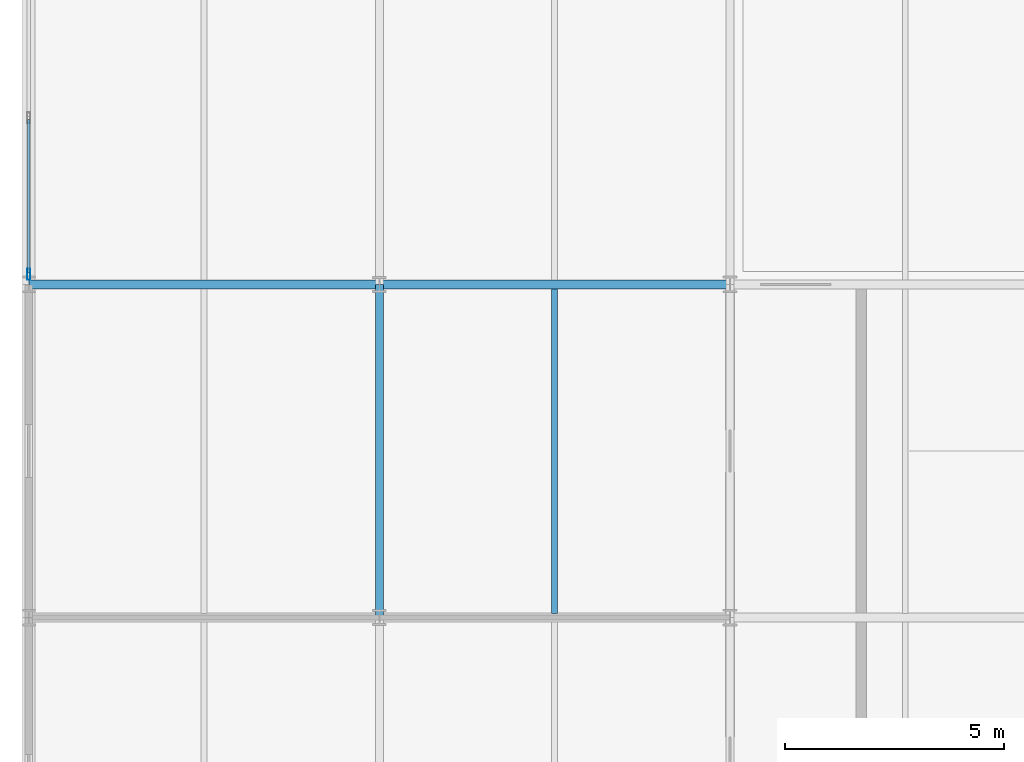
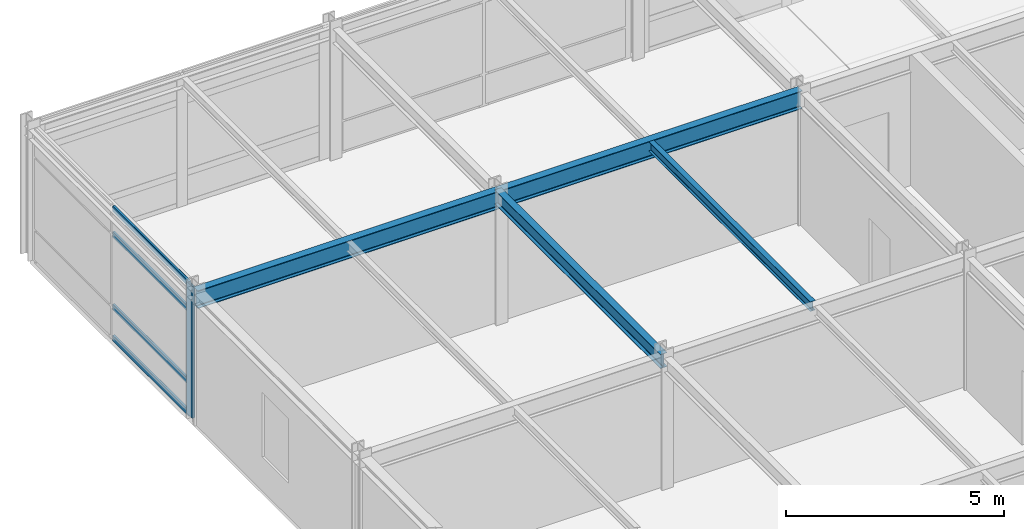
# One storey, part 5 of 16: 5 members, 4 beams, 1 element without a shape of its own.
"""IFC4 building model written with IfcOpenShell, lengths in metres."""

from ifc_helpers import new_model, si_unit, direction, frame, origin, origin_2d, place, context, subcontext, project, spatial, hollow_rectangle, i_section, extrude, material, layer, layer_set, material_profile, profile_set, type_object, element, aggregate, save


model = new_model("IFC4")

# Units and contexts
model_context = context("Model", 3, precision=1e-05, world=origin(), true_north=direction((0.0, 1.0)))
body_context = subcontext(model_context, "Body", "Model", "MODEL_VIEW")
ifc_project = project(units=[si_unit("LENGTHUNIT", "METRE"), si_unit("AREAUNIT", "SQUARE_METRE"), si_unit("VOLUMEUNIT", "CUBIC_METRE"), si_unit("PLANEANGLEUNIT", "RADIAN"), si_unit("MASSUNIT", "GRAM", prefix="KILO")], contexts=[model_context])

# Site, building, storey
site_placement = place(None, origin())
site = spatial("IfcSite", under=ifc_project, at=site_placement, CompositionType="ELEMENT")
building_placement = place(site_placement, origin())
building = spatial("IfcBuilding", under=site, at=building_placement, Name="Shalkamar Park Central Library", CompositionType="ELEMENT")
storey_placement = place(building_placement, frame((0.0, 0.0, 43.800048828125)))
storey = spatial("IfcBuildingStorey", under=building, at=storey_placement, Name="L11", CompositionType="ELEMENT", Elevation=43.800048828125)

# Beam
ifc_material_1 = material(Name="Steel S355", Category="steel")
ifc_material_profile_1 = material_profile(ifc_material_1, i_section(OverallWidth=0.135009765625, OverallDepth=0.27001953125, WebThickness=0.006591796875, FlangeThickness=0.01025390625, FilletRadius=0.014892578125, at=origin_2d()), Name="IPE 270")
ifc_profile_set_1 = profile_set([ifc_material_profile_1], Name="Steel S355")
beam_type_1 = type_object("IfcBeamType", Name="Composite Floor Joist IPE270", PredefinedType="JOIST", material=ifc_profile_set_1)
beam_1_placement = place(storey_placement, frame((177.0, 270.498046875, 3.544921875), z_axis=(0.0, 1.0, 0.0), x_axis=(-1.0, 0.0, 0.0)))
element("IfcBeam", 1, at=beam_1_placement, inside=storey, type_object=beam_type_1, Name="Composite Joist 08/E-1 (L11)", PredefinedType="JOIST", context=body_context, shape_type="SweptSolid", body=[
    extrude(i_section(OverallWidth=0.135009765625, OverallDepth=0.27001953125, WebThickness=0.006591796875, FlangeThickness=0.01025390625, FilletRadius=0.014892578125, at=origin_2d()), origin(), (0.0, 0.0, 1.0), 7.404052734375),
])

# Curtain wall, members
ifc_material_2 = material(Name="Thermally broken aluminium and triple low-e curtain wall", Category="aluminium")
ifc_layer = layer(ifc_material_2, 0.25)
ifc_layer_set = layer_set([ifc_layer], Name="UnitisedCurtainWall_82")
curtain_wall_type = type_object("IfcCurtainWallType", Name="Unitised Curtain Wall 82", PredefinedType="USERDEFINED", material=ifc_layer_set)
curtain_wall_placement = place(storey_placement, origin())
curtain_wall = element("IfcCurtainWall", 2, at=curtain_wall_placement, inside=storey, type_object=curtain_wall_type, Name="Unitised Curtain Wall CW-L11-133", ObjectType="UNITISED CURTAIN WALL", PredefinedType="USERDEFINED")
ifc_material_3 = material(Name="Aluminium 6060-T66", Category="aluminium")
ifc_material_profile_2 = material_profile(ifc_material_3, hollow_rectangle(XDim=0.074951171875, YDim=0.25, WallThickness=0.00390625, InnerFilletRadius=0.00390625, OuterFilletRadius=0.006103515625, at=origin_2d()), Name="ALU 75x250x4")
ifc_profile_set_2 = profile_set([ifc_material_profile_2], Name="Aluminium 6060-T66")
member_type_1 = type_object("IfcMemberType", Name="Curtain Wall Mullion ALU75x250", PredefinedType="MULLION", material=ifc_profile_set_2)
member_1_placement = place(storey_placement, frame((165.0, 278.22998046875, 0.0), z_axis=(0.0, 0.0, 1.0), x_axis=(-1.0, 0.0, 0.0)))
member_1 = element("IfcMember", 3, at=member_1_placement, type_object=member_type_1, Name="CW-82 mullion 1", PredefinedType="MULLION", context=body_context, shape_type="SweptSolid", body=[
    extrude(hollow_rectangle(XDim=0.074951171875, YDim=0.25, WallThickness=0.00390625, InnerFilletRadius=0.00390625, OuterFilletRadius=0.006103515625, at=origin_2d()), origin(), (0.0, 0.0, 1.0), 3.679931640625),
])
ifc_material_profile_3 = material_profile(ifc_material_3, hollow_rectangle(XDim=0.06005859375, YDim=0.159912109375, WallThickness=0.00390625, InnerFilletRadius=0.00390625, OuterFilletRadius=0.006103515625, at=origin_2d()), Name="ALU 60x160x4")
ifc_profile_set_3 = profile_set([ifc_material_profile_3], Name="Aluminium 6060-T66")
member_type_2 = type_object("IfcMemberType", Name="Curtain Wall Transom ALU60x160", PredefinedType="USERDEFINED", material=ifc_profile_set_3)
member_2_placement = place(storey_placement, frame((165.0, 278.267578125, 0.030029296875), z_axis=(0.0, 1.0, 0.0), x_axis=(-1.0, 0.0, 0.0)))
member_2 = element("IfcMember", 4, at=member_2_placement, type_object=member_type_2, Name="CW-82 transom 1.1", ObjectType="TRANSOM", PredefinedType="USERDEFINED", context=body_context, shape_type="SweptSolid", body=[
    extrude(hollow_rectangle(XDim=0.06005859375, YDim=0.159912109375, WallThickness=0.00390625, InnerFilletRadius=0.00390625, OuterFilletRadius=0.006103515625, at=origin_2d()), origin(), (0.0, 0.0, 1.0), 3.494873046875),
])
member_3_placement = place(storey_placement, frame((165.0, 278.267578125, 0.89990234375), z_axis=(0.0, 1.0, 0.0), x_axis=(-1.0, 0.0, 0.0)))
member_3 = element("IfcMember", 5, at=member_3_placement, type_object=member_type_2, Name="CW-82 transom 1.2", ObjectType="TRANSOM", PredefinedType="USERDEFINED", context=body_context, shape_type="SweptSolid", body=[
    extrude(hollow_rectangle(XDim=0.06005859375, YDim=0.159912109375, WallThickness=0.00390625, InnerFilletRadius=0.00390625, OuterFilletRadius=0.006103515625, at=origin_2d()), origin(), (0.0, 0.0, 1.0), 3.494873046875),
])
member_4_placement = place(storey_placement, frame((165.0, 278.267578125, 2.929931640625), z_axis=(0.0, 1.0, 0.0), x_axis=(-1.0, 0.0, 0.0)))
member_4 = element("IfcMember", 6, at=member_4_placement, type_object=member_type_2, Name="CW-82 transom 1.3", ObjectType="TRANSOM", PredefinedType="USERDEFINED", context=body_context, shape_type="SweptSolid", body=[
    extrude(hollow_rectangle(XDim=0.06005859375, YDim=0.159912109375, WallThickness=0.00390625, InnerFilletRadius=0.00390625, OuterFilletRadius=0.006103515625, at=origin_2d()), origin(), (0.0, 0.0, 1.0), 3.494873046875),
])
member_5_placement = place(storey_placement, frame((165.0, 278.267578125, 3.64990234375), z_axis=(0.0, 1.0, 0.0), x_axis=(-1.0, 0.0, 0.0)))
member_5 = element("IfcMember", 7, at=member_5_placement, type_object=member_type_2, Name="CW-82 transom 1.4", ObjectType="TRANSOM", PredefinedType="USERDEFINED", context=body_context, shape_type="SweptSolid", body=[
    extrude(hollow_rectangle(XDim=0.06005859375, YDim=0.159912109375, WallThickness=0.00390625, InnerFilletRadius=0.00390625, OuterFilletRadius=0.006103515625, at=origin_2d()), origin(), (0.0, 0.0, 1.0), 3.494873046875),
])
aggregate(curtain_wall, [member_1, member_2, member_3, member_4, member_5])

# Beams
ifc_material_profile_4 = material_profile(ifc_material_1, i_section(OverallWidth=0.179931640625, OverallDepth=0.39990234375, WebThickness=0.008544921875, FlangeThickness=0.013427734375, FilletRadius=0.02099609375, at=origin_2d()), Name="IPE 400")
ifc_profile_set_4 = profile_set([ifc_material_profile_4], Name="Steel S355")
beam_type_2 = type_object("IfcBeamType", Name="Primary Girder IPE400", PredefinedType="BEAM", material=ifc_profile_set_4)
beam_2_placement = place(storey_placement, frame((173.0, 270.39990234375, 3.47998046875), z_axis=(0.0, 1.0, 0.0), x_axis=(-1.0, 0.0, 0.0)))
element("IfcBeam", 8, at=beam_2_placement, inside=storey, type_object=beam_type_2, Name="Beam 08:E-F (L11)", PredefinedType="BEAM", context=body_context, shape_type="SweptSolid", body=[
    extrude(i_section(OverallWidth=0.179931640625, OverallDepth=0.39990234375, WebThickness=0.008544921875, FlangeThickness=0.013427734375, FilletRadius=0.02099609375, at=origin_2d()), origin(), (0.0, 0.0, 1.0), 7.60009765625),
])
ifc_material_profile_5 = material_profile(ifc_material_1, i_section(OverallWidth=0.199951171875, OverallDepth=0.5, WebThickness=0.01025390625, FlangeThickness=0.01611328125, FilletRadius=0.02099609375, at=origin_2d()), Name="IPE 500")
ifc_profile_set_5 = profile_set([ifc_material_profile_5], Name="Steel S355")
beam_type_3 = type_object("IfcBeamType", Name="Primary Girder IPE500", PredefinedType="BEAM", material=ifc_profile_set_5)
for number, where, z_axis, x_axis, name in (
    (9, (165.0, 278.0, 3.429931640625), (1.0, 0.0, 0.0), (0.0, 1.0, 0.0), "Beam F:07-08 (L11)"),
    (10, (173.0, 278.0, 3.429931640625), (1.0, 0.0, 0.0), (0.0, 1.0, 0.0), "Beam F:08-09 (L11)"),
):
    element("IfcBeam", number, at=place(storey_placement, frame(where, z_axis=z_axis, x_axis=x_axis)), inside=storey, type_object=beam_type_3, Name=name, PredefinedType="BEAM", context=body_context, shape_type="SweptSolid", body=[
        extrude(i_section(OverallWidth=0.199951171875, OverallDepth=0.5, WebThickness=0.01025390625, FlangeThickness=0.01611328125, FilletRadius=0.02099609375, at=origin_2d()), origin(), (0.0, 0.0, 1.0), 8.0),
    ])

save(model, "model.ifc")
